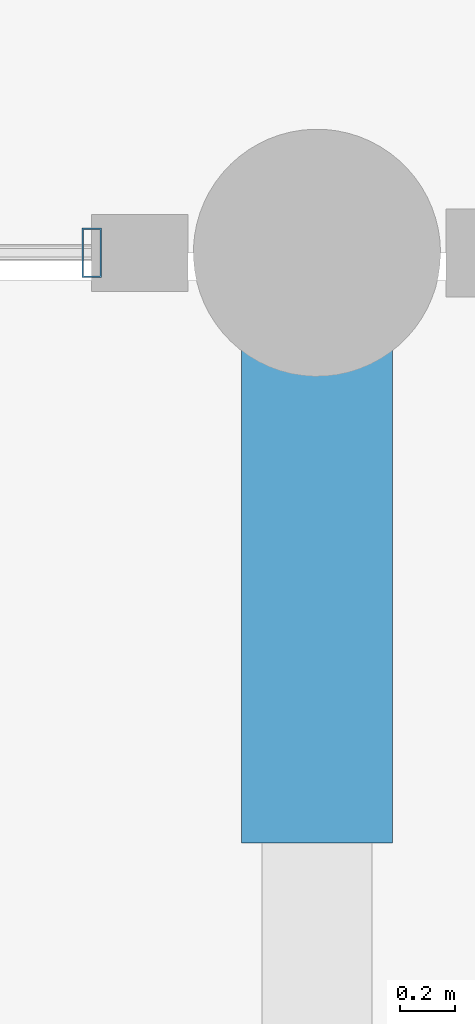
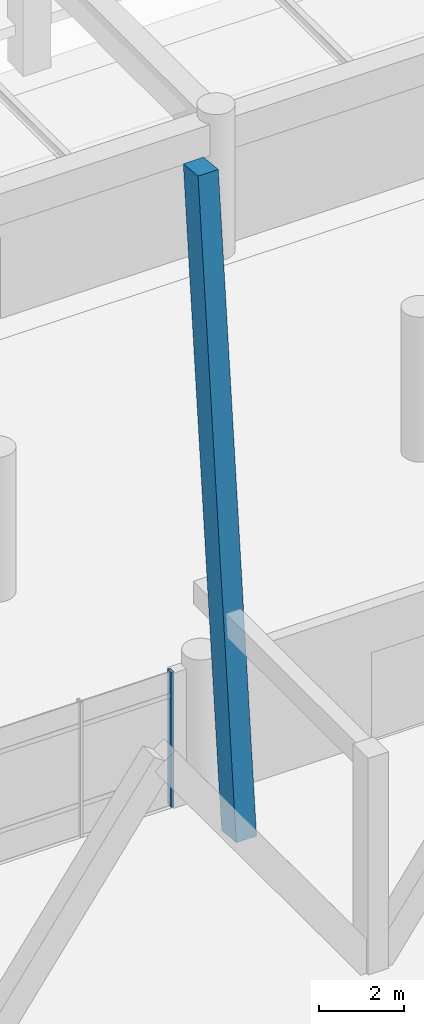
# One storey, part 16 of 109: 2 members, 1 element without a shape of its own.
"""IFC4 building model written with IfcOpenShell, lengths in metres."""

from ifc_helpers import new_model, si_unit, direction, frame, origin, origin_2d, place, context, subcontext, project, spatial, rectangle, hollow_rectangle, extrude, material, material_profile, profile_set, type_object, element, aggregate, save


model = new_model("IFC4")

# Units and contexts
model_context = context("Model", 3, precision=1e-05, world=origin(), true_north=direction((0.0, 1.0)))
body_context = subcontext(model_context, "Body", "Model", "MODEL_VIEW")
ifc_project = project(units=[si_unit("LENGTHUNIT", "METRE"), si_unit("AREAUNIT", "SQUARE_METRE"), si_unit("VOLUMEUNIT", "CUBIC_METRE"), si_unit("PLANEANGLEUNIT", "RADIAN"), si_unit("MASSUNIT", "GRAM", prefix="KILO")], contexts=[model_context])

# Site, building, storey
site_placement = place(None, origin())
site = spatial("IfcSite", under=ifc_project, at=site_placement, CompositionType="ELEMENT")
building_placement = place(site_placement, origin())
building = spatial("IfcBuilding", under=site, at=building_placement, Name="Ologun Quay Terminus", CompositionType="ELEMENT")
storey_placement = place(building_placement, origin())
storey = spatial("IfcBuildingStorey", under=building, at=storey_placement, Name="L00", CompositionType="ELEMENT", Elevation=0.0)

# Curtain wall, member
ifc_material_1 = material(Name="Aluminium 6063-T6", Category="aluminium")
curtain_wall_type = type_object("IfcCurtainWallType", Name="Forecourt Arcade Curtain Wall 10700x3750", PredefinedType="USERDEFINED", material=ifc_material_1)
curtain_wall_placement = place(storey_placement, origin())
curtain_wall = element("IfcCurtainWall", 1, at=curtain_wall_placement, inside=storey, type_object=curtain_wall_type, Name="CW-03 Curtain Wall CW-L00-004", ObjectType="UNITISED CURTAIN WALL", PredefinedType="USERDEFINED")
ifc_material_2 = material(Name="Aluminium 6063-T6", Category="aluminium")
ifc_material_profile_1 = material_profile(ifc_material_2, hollow_rectangle(XDim=0.070068359375, YDim=0.179931640625, WallThickness=0.0048828125, at=origin_2d()), Name="ALU 180x70x5")
ifc_profile_set_1 = profile_set([ifc_material_profile_1], Name="Aluminium 6063-T6")
member_type_1 = type_object("IfcMemberType", Name="Curtain Wall Heavy Mullion 180x70", PredefinedType="MULLION", material=ifc_profile_set_1)
member_1_placement = place(storey_placement, frame((79.679931640625, 8.0, 0.0), z_axis=(0.0, 0.0, 1.0), x_axis=(1.0, 0.0, 0.0)))
member_1 = element("IfcMember", 2, at=member_1_placement, type_object=member_type_1, Name="CW-L00-004 Mullion 5", PredefinedType="MULLION", context=body_context, shape_type="SweptSolid", body=[
    extrude(hollow_rectangle(XDim=0.070068359375, YDim=0.179931640625, WallThickness=0.0048828125, at=origin_2d()), origin(), (0.0, 0.0, 1.0), 3.8798828125),
])
aggregate(curtain_wall, [member_1])

# Member
ifc_material_3 = material(Name="Concrete C45/55", Category="concrete")
ifc_material_profile_2 = material_profile(ifc_material_3, rectangle(XDim=0.550048828125, YDim=0.699951171875, at=origin_2d()), Name="RC 550x700")
ifc_profile_set_2 = profile_set([ifc_material_profile_2], Name="Concrete C45/55")
member_type_2 = type_object("IfcMemberType", Name="Folded Canopy Concrete V-Strut 550x700", PredefinedType="STRUT", material=ifc_profile_set_2)
member_2_placement = place(storey_placement, frame((80.5, 6.199951171875, 0.0), z_axis=(0.0, 0.099178744049, 0.995069634111), x_axis=(-1.0, 0.0, 0.0)))
element("IfcMember", 3, at=member_2_placement, inside=storey, type_object=member_type_2, Name="VS2 Raked Concrete Portal Rib 8/B", PredefinedType="STRUT", context=body_context, shape_type="SweptSolid", body=[
    extrude(rectangle(XDim=0.550048828125, YDim=0.699951171875, at=origin_2d()), origin(), (0.0, 0.0, 1.0), 18.149658203125),
])

save(model, "model.ifc")
